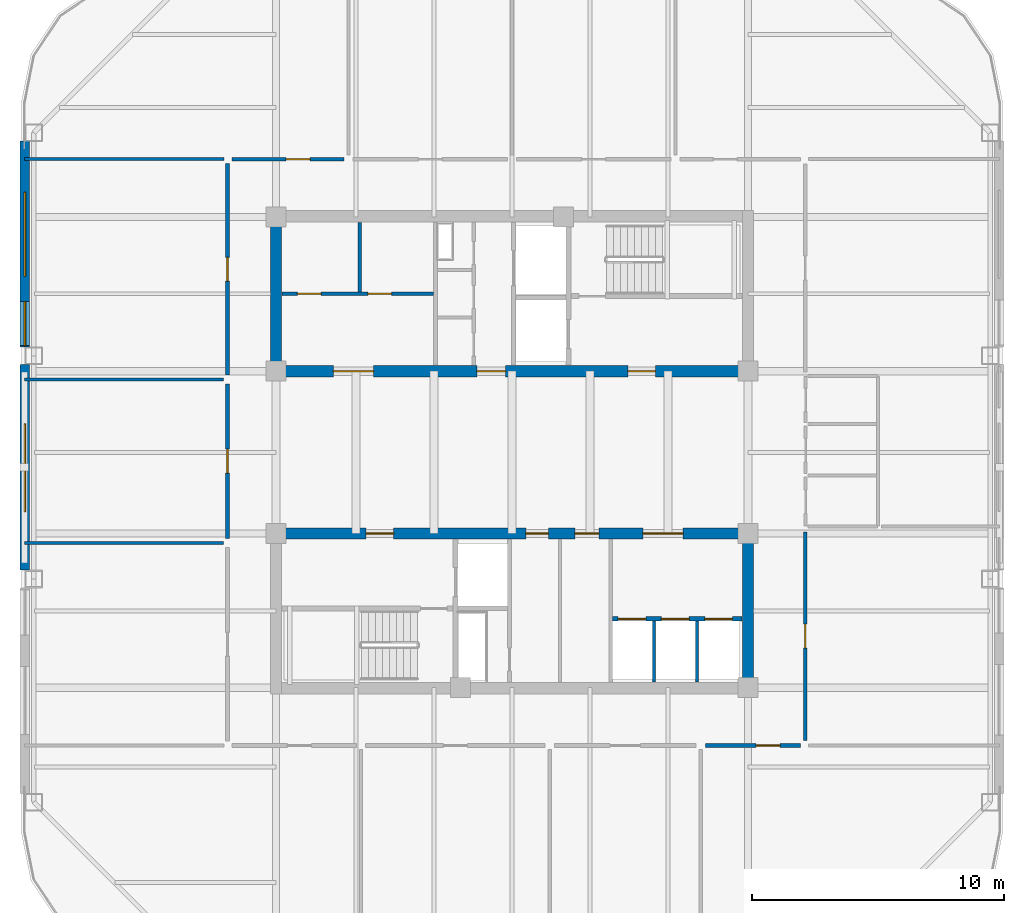
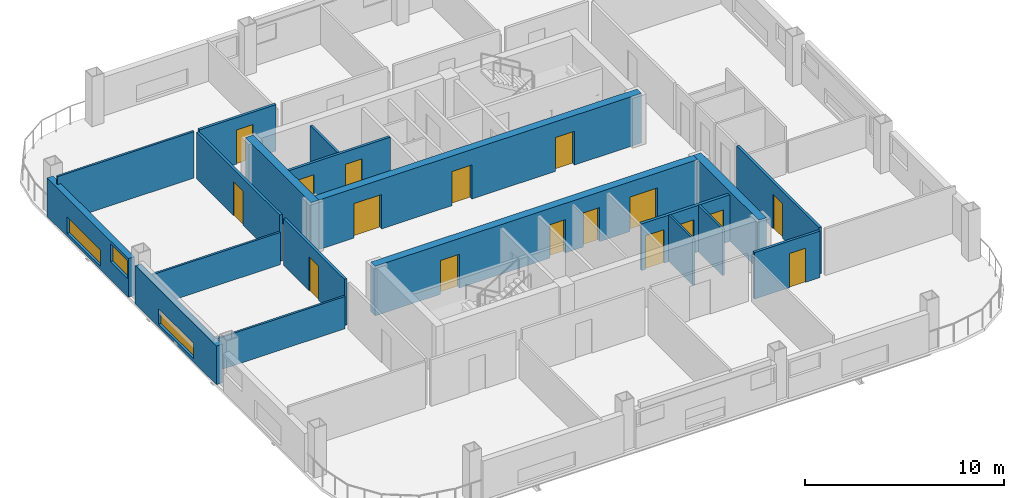
# One storey, part 3 of 8: 19 walls, 17 doors, 3 windows, 20 openings.
"""IFC4 building model written with IfcOpenShell, lengths in metres."""

import ifcopenshell
import ifcopenshell.guid

model = None  # the IFC model being written
_history = None  # IfcOwnerHistory: only IFC2X3 demands one
_inside = {}  # id of a spatial element -> (the spatial element, [elements in it])
_under = {}  # id of a project, library or spatial element -> (it, [spatial elements below it])
_declared = {}  # id of a project -> (the project, [libraries it declares])
_typed = {}  # id of a type object -> (the type object, [elements of that type])
_made_of = {}  # id of a material, layer set ... -> (it, [elements and type objects made of it])


def new_model(schema):
    """Start an empty IFC model of exactly this schema.

    Asked for "IFC4X3", IfcOpenShell would pick the latest addendum, in which some entities
    have other attributes; the version numbers below select the first issue.
    IFC2X3 requires an IfcOwnerHistory on every rooted entity: one is made here for all.
    """
    global model, _history
    if schema == "IFC4X3":
        model = ifcopenshell.file(schema_version=(4, 3, 0, 0))
    else:
        model = ifcopenshell.file(schema=schema)
    _inside.clear()
    _under.clear()
    _declared.clear()
    _typed.clear()
    _made_of.clear()
    _history = None
    if model.schema == "IFC2X3":
        org = make("IfcOrganization", Name="unknown")
        user = make(
            "IfcPersonAndOrganization",
            ThePerson=make("IfcPerson", FamilyName="unknown"),
            TheOrganization=org,
        )
        app = make(
            "IfcApplication",
            ApplicationDeveloper=org,
            Version="unknown",
            ApplicationFullName="unknown",
            ApplicationIdentifier="unknown",
        )
        _history = make(
            "IfcOwnerHistory",
            OwningUser=user,
            OwningApplication=app,
            ChangeAction="ADDED",
            CreationDate=0,
        )
    return model


def make(cls, **values):
    """One entity of the class cls with the attributes given. An attribute that is None is left unset."""
    return model.create_entity(
        cls, **{name: value for name, value in values.items() if value is not None}
    )


def rooted(cls, **values):
    """An entity with a GlobalId (a new one), such as an element, a storey or a relation."""
    return make(cls, GlobalId=ifcopenshell.guid.new(), OwnerHistory=_history, **values)


def si_unit(unit_type, name, prefix=None):
    """IfcSIUnit, for example si_unit("LENGTHUNIT", "METRE", prefix="MILLI")."""
    return make("IfcSIUnit", UnitType=unit_type, Prefix=prefix, Name=name)


def assignment(units):
    """IfcUnitAssignment: the units of a project."""
    return None if units is None else make("IfcUnitAssignment", Units=units)


def point(xyz):
    """IfcCartesianPoint."""
    return None if xyz is None else make("IfcCartesianPoint", Coordinates=xyz)


def direction(xyz):
    """IfcDirection."""
    return None if xyz is None else make("IfcDirection", DirectionRatios=xyz)


def frame(location, z_axis=None, x_axis=None):
    """IfcAxis2Placement3D, a coordinate frame: its origin and axes. An axis left out is left unset."""
    return make(
        "IfcAxis2Placement3D",
        Location=point(location),
        Axis=direction(z_axis),
        RefDirection=direction(x_axis),
    )


def frame_2d(location, x_axis=None):
    """IfcAxis2Placement2D, a coordinate frame in the plane: its origin and x axis."""
    return make(
        "IfcAxis2Placement2D", Location=point(location), RefDirection=direction(x_axis)
    )


def origin():
    """The frame at (0, 0, 0) with its axes left unset."""
    return frame((0.0, 0.0, 0.0))


def place(relative_to, where):
    """IfcLocalPlacement: puts the frame where relative to a parent placement (None: the world)."""
    return make(
        "IfcLocalPlacement", PlacementRelTo=relative_to, RelativePlacement=where
    )


def context(
    kind, dimensions, precision=None, world=None, true_north=None, identifier=None
):
    """IfcGeometricRepresentationContext, for example the 3D "Model" context."""
    return make(
        "IfcGeometricRepresentationContext",
        ContextIdentifier=identifier,
        ContextType=kind,
        CoordinateSpaceDimension=dimensions,
        Precision=precision,
        WorldCoordinateSystem=world,
        TrueNorth=true_north,
    )


def subcontext(parent, identifier, kind, view, scale=None):
    """IfcGeometricRepresentationSubContext, for example "Body" below "Model"."""
    return make(
        "IfcGeometricRepresentationSubContext",
        ContextIdentifier=identifier,
        ContextType=kind,
        ParentContext=parent,
        TargetScale=scale,
        TargetView=view,
    )


def project(units=None, contexts=None):
    """IfcProject with its units and contexts."""
    return rooted(
        "IfcProject",
        Name="project",
        RepresentationContexts=contexts,
        UnitsInContext=assignment(units),
    )


def spatial(cls, under=None, at=None, **own):
    """A site, building, storey or space (cls), placed at a placement, below another one or the project."""
    s = rooted(cls, ObjectPlacement=at, **own)
    if under is not None:
        _under.setdefault(under.id(), (under, []))[1].append(s)
    return s


def profile(cls, at=None, kind="AREA", **sizes):
    """A parametric profile (cls). Its sizes go by their IFC names, for example OverallWidth=200.0."""
    return make(cls, ProfileType=kind, Position=at, **sizes)


def rectangle(**sizes):
    """IfcRectangleProfileDef."""
    return profile("IfcRectangleProfileDef", **sizes)


def extrude(swept, where, along, depth):
    """IfcExtrudedAreaSolid: the profile swept, set in the frame where, extruded along a direction by depth."""
    return make(
        "IfcExtrudedAreaSolid",
        SweptArea=swept,
        Position=where,
        ExtrudedDirection=direction(along),
        Depth=depth,
    )


def shape(context_of_items, identifier, shape_type, items):
    """IfcShapeRepresentation: the items that make up one representation, for example the "Body"."""
    return make(
        "IfcShapeRepresentation",
        ContextOfItems=context_of_items,
        RepresentationIdentifier=identifier,
        RepresentationType=shape_type,
        Items=items,
    )


def material(Name=None, Category=None):
    """IfcMaterial."""
    return make("IfcMaterial", Name=Name, Category=Category)


def layer(
    of_material, thickness, ventilated=None, Name=None, Category=None, Priority=None
):
    """IfcMaterialLayer: one layer of a wall or slab, of a material (None: an air gap)."""
    return make(
        "IfcMaterialLayer",
        Material=of_material,
        LayerThickness=thickness,
        IsVentilated=ventilated,
        Name=Name,
        Category=Category,
        Priority=Priority,
    )


def layer_set(layers, Name=None):
    """IfcMaterialLayerSet."""
    return make("IfcMaterialLayerSet", MaterialLayers=layers, LayerSetName=Name)


def made_of(thing, what):
    """Note that an element or type object is made of a material, layer set ...; save() writes the relation."""
    if what is not None:
        _made_of.setdefault(what.id(), (what, []))[1].append(thing)
    return thing


def type_object(cls, material=None, **own):
    """A type object (cls), such as IfcWallType, which elements share."""
    return made_of(rooted(cls, **own), material)


def element(
    cls,
    number,
    at=None,
    inside=None,
    cuts=None,
    type_object=None,
    material=None,
    context=None,
    identifier="Body",
    shape_type=None,
    held_by="IfcProductDefinitionShape",
    body=None,
    shapes=None,
    **own,
):
    """One element of the class cls, such as IfcWall. Its Tag is "e" and its number.

    at: its placement. inside: the storey or other place that contains it. cuts: it is an
    opening in that element (IfcRelVoidsElement). A single representation is given by context,
    identifier, shape_type and body (its items); several are given by shapes. held_by: the class
    of the entity that holds the representations. save() writes the other relations.
    """
    e = rooted(cls, Tag="e%d" % number, ObjectPlacement=at, **own)
    if body is not None:
        shapes = [shape(context, identifier, shape_type, body)]
    if shapes is not None:
        e.Representation = make(held_by, Representations=shapes)
    if inside is not None:
        _inside.setdefault(inside.id(), (inside, []))[1].append(e)
    if cuts is not None:
        rooted(
            "IfcRelVoidsElement", RelatingBuildingElement=cuts, RelatedOpeningElement=e
        )
    if type_object is not None:
        _typed.setdefault(type_object.id(), (type_object, []))[1].append(e)
    return made_of(e, material)


def fill(opening, filler):
    """IfcRelFillsElement: the door or window that sits in an opening."""
    return rooted(
        "IfcRelFillsElement",
        RelatingOpeningElement=opening,
        RelatedBuildingElement=filler,
    )


def aggregate(whole, parts):
    """IfcRelAggregates: a whole, such as a stair, and the parts it consists of."""
    return rooted("IfcRelAggregates", RelatingObject=whole, RelatedObjects=parts)


def save(model, path):
    """Write the relations noted so far, then the file.

    IfcRelAggregates (storeys below a building ...), IfcRelContainedInSpatialStructure (elements
    in a storey), IfcRelDefinesByType, IfcRelAssociatesMaterial and IfcRelDeclares: one each for
    every whole, place, type object, material and project.
    """
    for whole, parts in _under.values():
        aggregate(whole, parts)
    for where, things in _inside.values():
        rooted(
            "IfcRelContainedInSpatialStructure",
            RelatedElements=things,
            RelatingStructure=where,
        )
    for kind, things in _typed.values():
        rooted("IfcRelDefinesByType", RelatedObjects=things, RelatingType=kind)
    for what, things in _made_of.values():
        rooted("IfcRelAssociatesMaterial", RelatedObjects=things, RelatingMaterial=what)
    for by, libraries in _declared.values():
        rooted("IfcRelDeclares", RelatingContext=by, RelatedDefinitions=libraries)
    model.write(path)


model = new_model("IFC4")

# Units and contexts
model_context = context("Model", 3, precision=1e-05, world=origin(), true_north=direction((0.0, 1.0)))
body_context = subcontext(model_context, "Body", "Model", "MODEL_VIEW")
ifc_project = project(units=[si_unit("LENGTHUNIT", "METRE"), si_unit("AREAUNIT", "SQUARE_METRE"), si_unit("VOLUMEUNIT", "CUBIC_METRE"), si_unit("PLANEANGLEUNIT", "RADIAN"), si_unit("MASSUNIT", "GRAM", prefix="KILO")], contexts=[model_context])

# Site, building, storey
site_placement = place(None, origin())
site = spatial("IfcSite", under=ifc_project, at=site_placement, CompositionType="ELEMENT")
building_placement = place(site_placement, origin())
building = spatial("IfcBuilding", under=site, at=building_placement, Name="Qhalaya Broadcast Tower", CompositionType="ELEMENT")
storey_placement = place(building_placement, frame((0.0, 0.0, 220.85009765625)))
storey = spatial("IfcBuildingStorey", under=building, at=storey_placement, Name="L65", CompositionType="ELEMENT", Elevation=220.85009765625)

# Wall, openings, doors
ifc_material_1 = material(Name="Gypsum Acoustic Partition")
ifc_layer_1 = layer(ifc_material_1, 0.14990234375, Name="Gypsum Acoustic Partition")
ifc_layer_set_1 = layer_set([ifc_layer_1], Name="Gypsum Acoustic Partition")
wall_type_1 = type_object("IfcWallType", Name="Corridor & Tenancy Acoustic Partition 150", PredefinedType="PARTITIONING", material=ifc_layer_set_1)
wall_1_placement = place(storey_placement, frame((-9.1298828125, 6.89990234375, 0.0), z_axis=(0.0, 0.0, 1.0), x_axis=(1.0, 0.0, 0.0)))
wall_1 = element("IfcWall", 1, at=wall_1_placement, inside=storey, type_object=wall_type_1, Name="L65 Partition Wall NCW-REC1", PredefinedType="PARTITIONING", context=body_context, shape_type="SweptSolid", body=[
    extrude(rectangle(XDim=6.009765625, YDim=0.14990234375, at=frame_2d((3.0048828125, 0.0))), origin(), (0.0, 0.0, 1.0), 2.85986328125),
])
opening_1_placement = place(wall_1_placement, frame((0.60009765625, 0.0, 0.0)))
opening_1 = element("IfcOpeningElement", 2, at=opening_1_placement, cuts=wall_1, Name="Opening D10", PredefinedType="OPENING", context=body_context, shape_type="SweptSolid", body=[
    extrude(rectangle(XDim=0.949951171875, YDim=2.10009765625, at=frame_2d((0.47509765625, 1.050048828125))), frame((0.0, 0.0869140625, 0.0), z_axis=(0.0, -1.0, 0.0), x_axis=(1.0, 0.0, 0.0)), (0.0, 0.0, 1.0), 0.173828125),
])
opening_2_placement = place(wall_1_placement, frame((3.39990234375, 0.0, 0.0)))
opening_2 = element("IfcOpeningElement", 3, at=opening_2_placement, cuts=wall_1, Name="Opening D10", PredefinedType="OPENING", context=body_context, shape_type="SweptSolid", body=[
    extrude(rectangle(XDim=0.949951171875, YDim=2.10009765625, at=frame_2d((0.47509765625, 1.050048828125))), frame((0.0, 0.0869140625, 0.0), z_axis=(0.0, -1.0, 0.0), x_axis=(1.0, 0.0, 0.0)), (0.0, 0.0, 1.0), 0.173828125),
])
ifc_material_2 = material(Name="Timber Veneer Acoustic Door", Category="wood")
door_type_1 = type_object("IfcDoorType", Name="Cellular Office & Edit Booth Door D10", OperationType="NOTDEFINED", PredefinedType="DOOR", material=ifc_material_2)
door_1_placement = place(opening_1_placement, origin())
door_1 = element("IfcDoor", 4, at=door_1_placement, inside=storey, type_object=door_type_1, Name="L65 Door D-NREC1", OperationType="SINGLE_SWING_LEFT", OverallHeight=2.10009765625, OverallWidth=0.949951171875, PredefinedType="DOOR", context=body_context, shape_type="SweptSolid", body=[
    extrude(rectangle(XDim=0.949951171875, YDim=2.10009765625, at=frame_2d((0.47509765625, 1.050048828125))), frame((0.0, 0.02490234375, 0.0), z_axis=(0.0, -1.0, 0.0), x_axis=(1.0, 0.0, 0.0)), (0.0, 0.0, 1.0), 0.050048828125),
])
fill(opening_1, door_1)
door_2_placement = place(opening_2_placement, origin())
door_2 = element("IfcDoor", 5, at=door_2_placement, inside=storey, type_object=door_type_1, Name="L65 Door D-NREC2", OperationType="SINGLE_SWING_RIGHT", OverallHeight=2.10009765625, OverallWidth=0.949951171875, PredefinedType="DOOR", context=body_context, shape_type="SweptSolid", body=[
    extrude(rectangle(XDim=0.949951171875, YDim=2.10009765625, at=frame_2d((0.47509765625, 1.050048828125))), frame((0.0, 0.02490234375, 0.0), z_axis=(0.0, -1.0, 0.0), x_axis=(1.0, 0.0, 0.0)), (0.0, 0.0, 1.0), 0.050048828125),
])
fill(opening_2, door_2)

# Wall, opening, door
wall_2_placement = place(storey_placement, frame((-11.1201171875, 12.25, 0.0), z_axis=(0.0, 0.0, 1.0), x_axis=(1.0, 0.0, 0.0)))
wall_2 = element("IfcWall", 6, at=wall_2_placement, inside=storey, type_object=wall_type_1, Name="L65 Partition Wall W-COR-01", PredefinedType="PARTITIONING", context=body_context, shape_type="SweptSolid", body=[
    extrude(rectangle(XDim=4.440185546875, YDim=0.14990234375, at=frame_2d((2.22021484375, 0.0))), origin(), (0.0, 0.0, 1.0), 2.85986328125),
])
opening_3_placement = place(wall_2_placement, frame((2.14501953125, 0.0, 0.0)))
opening_3 = element("IfcOpeningElement", 7, at=opening_3_placement, cuts=wall_2, Name="Opening D10", PredefinedType="OPENING", context=body_context, shape_type="SweptSolid", body=[
    extrude(rectangle(XDim=0.949951171875, YDim=2.10009765625, at=frame_2d((0.47509765625, 1.050048828125))), frame((0.0, 0.0869140625, 0.0), z_axis=(0.0, -1.0, 0.0), x_axis=(1.0, 0.0, 0.0)), (0.0, 0.0, 1.0), 0.173828125),
])
door_3_placement = place(opening_3_placement, origin())
door_3 = element("IfcDoor", 8, at=door_3_placement, inside=storey, type_object=door_type_1, Name="L65 Door D-RM01", OperationType="SINGLE_SWING_LEFT", OverallHeight=2.10009765625, OverallWidth=0.949951171875, PredefinedType="DOOR", context=body_context, shape_type="SweptSolid", body=[
    extrude(rectangle(XDim=0.949951171875, YDim=2.10009765625, at=frame_2d((0.47509765625, 1.050048828125))), frame((0.0, 0.02490234375, 0.0), z_axis=(0.0, -1.0, 0.0), x_axis=(1.0, 0.0, 0.0)), (0.0, 0.0, 1.0), 0.050048828125),
])
fill(opening_3, door_3)

wall_3_placement = place(storey_placement, frame((7.679931640625, -11.050048828125, 0.0), z_axis=(0.0, 0.0, 1.0), x_axis=(1.0, 0.0, 0.0)))
wall_3 = element("IfcWall", 9, at=wall_3_placement, inside=storey, type_object=wall_type_1, Name="L65 Partition Wall W-COR-08", PredefinedType="PARTITIONING", context=body_context, shape_type="SweptSolid", body=[
    extrude(rectangle(XDim=3.7900390625, YDim=0.14990234375, at=frame_2d((1.89501953125, 0.0))), origin(), (0.0, 0.0, 1.0), 2.85986328125),
])
opening_4_placement = place(wall_3_placement, frame((2.02001953125, 0.0, 0.0)))
opening_4 = element("IfcOpeningElement", 10, at=opening_4_placement, cuts=wall_3, Name="Opening D10", PredefinedType="OPENING", context=body_context, shape_type="SweptSolid", body=[
    extrude(rectangle(XDim=0.949951171875, YDim=2.10009765625, at=frame_2d((0.47509765625, 1.050048828125))), frame((0.0, 0.0869140625, 0.0), z_axis=(0.0, -1.0, 0.0), x_axis=(1.0, 0.0, 0.0)), (0.0, 0.0, 1.0), 0.173828125),
])
door_4_placement = place(opening_4_placement, origin())
door_4 = element("IfcDoor", 11, at=door_4_placement, inside=storey, type_object=door_type_1, Name="L65 Door D-RM08", OperationType="SINGLE_SWING_RIGHT", OverallHeight=2.10009765625, OverallWidth=0.949951171875, PredefinedType="DOOR", context=body_context, shape_type="SweptSolid", body=[
    extrude(rectangle(XDim=0.949951171875, YDim=2.10009765625, at=frame_2d((0.47509765625, 1.050048828125))), frame((0.0, 0.02490234375, 0.0), z_axis=(0.0, -1.0, 0.0), x_axis=(1.0, 0.0, 0.0)), (0.0, 0.0, 1.0), 0.050048828125),
])
fill(opening_4, door_4)

wall_4_placement = place(storey_placement, frame((-11.300048828125, -2.820068359375, 0.0), z_axis=(0.0, 0.0, 1.0), x_axis=(0.0, 1.0, 0.0)))
wall_4 = element("IfcWall", 12, at=wall_4_placement, inside=storey, type_object=wall_type_1, Name="L65 Partition Wall W-COR-10", PredefinedType="PARTITIONING", context=body_context, shape_type="SweptSolid", body=[
    extrude(rectangle(XDim=6.14013671875, YDim=0.14990234375, at=frame_2d((3.070068359375, 0.0))), origin(), (0.0, 0.0, 1.0), 2.85986328125),
])
opening_5_placement = place(wall_4_placement, frame((2.594970703125, 0.0, 0.0)))
opening_5 = element("IfcOpeningElement", 13, at=opening_5_placement, cuts=wall_4, Name="Opening D10", PredefinedType="OPENING", context=body_context, shape_type="SweptSolid", body=[
    extrude(rectangle(XDim=0.949951171875, YDim=2.10009765625, at=frame_2d((0.47509765625, 1.050048828125))), frame((0.0, 0.0869140625, 0.0), z_axis=(0.0, -1.0, 0.0), x_axis=(1.0, 0.0, 0.0)), (0.0, 0.0, 1.0), 0.173828125),
])
door_5_placement = place(opening_5_placement, origin())
door_5 = element("IfcDoor", 14, at=door_5_placement, inside=storey, type_object=door_type_1, Name="L65 Door D-RM10", OperationType="SINGLE_SWING_RIGHT", OverallHeight=2.10009765625, OverallWidth=0.949951171875, PredefinedType="DOOR", context=body_context, shape_type="SweptSolid", body=[
    extrude(rectangle(XDim=0.949951171875, YDim=2.10009765625, at=frame_2d((0.47509765625, 1.050048828125))), frame((0.0, 0.02490234375, 0.0), z_axis=(0.0, -1.0, 0.0), x_axis=(1.0, 0.0, 0.0)), (0.0, 0.0, 1.0), 0.050048828125),
])
fill(opening_5, door_5)

wall_5_placement = place(storey_placement, frame((-11.300048828125, 3.679931640625, 0.0), z_axis=(0.0, 0.0, 1.0), x_axis=(0.0, 1.0, 0.0)))
wall_5 = element("IfcWall", 15, at=wall_5_placement, inside=storey, type_object=wall_type_1, Name="L65 Partition Wall W-COR-11", PredefinedType="PARTITIONING", context=body_context, shape_type="SweptSolid", body=[
    extrude(rectangle(XDim=8.39013671875, YDim=0.14990234375, at=frame_2d((4.195068359375, 0.0))), origin(), (0.0, 0.0, 1.0), 2.85986328125),
])
opening_6_placement = place(wall_5_placement, frame((3.719970703125, 0.0, 0.0)))
opening_6 = element("IfcOpeningElement", 16, at=opening_6_placement, cuts=wall_5, Name="Opening D10", PredefinedType="OPENING", context=body_context, shape_type="SweptSolid", body=[
    extrude(rectangle(XDim=0.949951171875, YDim=2.10009765625, at=frame_2d((0.47509765625, 1.050048828125))), frame((0.0, 0.0869140625, 0.0), z_axis=(0.0, -1.0, 0.0), x_axis=(1.0, 0.0, 0.0)), (0.0, 0.0, 1.0), 0.173828125),
])
door_6_placement = place(opening_6_placement, origin())
door_6 = element("IfcDoor", 17, at=door_6_placement, inside=storey, type_object=door_type_1, Name="L65 Door D-RM11", OperationType="SINGLE_SWING_LEFT", OverallHeight=2.10009765625, OverallWidth=0.949951171875, PredefinedType="DOOR", context=body_context, shape_type="SweptSolid", body=[
    extrude(rectangle(XDim=0.949951171875, YDim=2.10009765625, at=frame_2d((0.47509765625, 1.050048828125))), frame((0.0, 0.02490234375, 0.0), z_axis=(0.0, -1.0, 0.0), x_axis=(1.0, 0.0, 0.0)), (0.0, 0.0, 1.0), 0.050048828125),
])
fill(opening_6, door_6)

wall_6_placement = place(storey_placement, frame((11.64990234375, -10.85009765625, 0.0), z_axis=(0.0, 0.0, 1.0), x_axis=(0.0, 1.0, 0.0)))
wall_6 = element("IfcWall", 18, at=wall_6_placement, inside=storey, type_object=wall_type_1, Name="L65 Partition Wall W-COR-12", PredefinedType="PARTITIONING", context=body_context, shape_type="SweptSolid", body=[
    extrude(rectangle(XDim=8.2900390625, YDim=0.14990234375, at=frame_2d((4.14501953125, 0.0))), origin(), (0.0, 0.0, 1.0), 2.85986328125),
])
opening_7_placement = place(wall_6_placement, frame((3.669921875, 0.0, 0.0)))
opening_7 = element("IfcOpeningElement", 19, at=opening_7_placement, cuts=wall_6, Name="Opening D10", PredefinedType="OPENING", context=body_context, shape_type="SweptSolid", body=[
    extrude(rectangle(XDim=0.949951171875, YDim=2.10009765625, at=frame_2d((0.47509765625, 1.050048828125))), frame((0.0, 0.0869140625, 0.0), z_axis=(0.0, -1.0, 0.0), x_axis=(1.0, 0.0, 0.0)), (0.0, 0.0, 1.0), 0.173828125),
])
door_7_placement = place(opening_7_placement, origin())
door_7 = element("IfcDoor", 20, at=door_7_placement, inside=storey, type_object=door_type_1, Name="L65 Door D-RM12", OperationType="SINGLE_SWING_RIGHT", OverallHeight=2.10009765625, OverallWidth=0.949951171875, PredefinedType="DOOR", context=body_context, shape_type="SweptSolid", body=[
    extrude(rectangle(XDim=0.949951171875, YDim=2.10009765625, at=frame_2d((0.47509765625, 1.050048828125))), frame((0.0, 0.02490234375, 0.0), z_axis=(0.0, -1.0, 0.0), x_axis=(1.0, 0.0, 0.0)), (0.0, 0.0, 1.0), 0.050048828125),
])
fill(opening_7, door_7)

# Wall, opening, window
ifc_material_3 = material(Name="Precast Concrete C40/50", Category="concrete")
ifc_layer_2 = layer(ifc_material_3, 0.360107421875, Name="Precast Concrete C40/50")
ifc_layer_set_2 = layer_set([ifc_layer_2], Name="Precast Concrete C40/50")
wall_type_2 = type_object("IfcWallType", Name="Insulated Precast Terracotta Exterior Wall 360", PredefinedType="SOLIDWALL", material=ifc_layer_set_2)
wall_7_placement = place(storey_placement, frame((-19.360107421875, -4.083251953125, 0.0), z_axis=(0.0, 0.0, 1.0), x_axis=(0.0, 1.0, 0.0)))
wall_7 = element("IfcWall", 21, at=wall_7_placement, inside=storey, type_object=wall_type_2, Name="L65 Exoskeleton Diagrid Infill Wall W2", PredefinedType="SOLIDWALL", context=body_context, shape_type="SweptSolid", body=[
    extrude(rectangle(XDim=8.16650390625, YDim=0.360107421875, at=frame_2d((4.083251953125, 0.0))), origin(), (0.0, 0.0, 1.0), 2.3740234375),
])
opening_8_placement = place(wall_7_placement, frame((2.321044921875, 0.0, 0.199951171875)))
opening_8 = element("IfcOpeningElement", 22, at=opening_8_placement, cuts=wall_7, Name="Opening W13", PredefinedType="OPENING", context=body_context, shape_type="SweptSolid", body=[
    extrude(rectangle(XDim=3.5, YDim=0.949951171875, at=frame_2d((1.75, 0.47509765625))), frame((0.0, 0.192138671875, 0.0), z_axis=(0.0, -1.0, 0.0), x_axis=(1.0, 0.0, 0.0)), (0.0, 0.0, 1.0), 0.384033203125),
])
ifc_material_4 = material(Name="Solar-Control Low-E Triple Glazing", Category="glass")
window_type = type_object("IfcWindowType", Name="Upper-Block Diagrid Infill Window W13", PartitioningType="SINGLE_PANEL", PredefinedType="WINDOW", material=ifc_material_4)
window_1_placement = place(opening_8_placement, origin())
window_1 = element("IfcWindow", 23, at=window_1_placement, inside=storey, type_object=window_type, Name="L65 Diagrid Infill Window W13-W3", OverallHeight=0.949951171875, OverallWidth=3.5, PartitioningType="SINGLE_PANEL", PredefinedType="WINDOW", context=body_context, shape_type="SweptSolid", body=[
    extrude(rectangle(XDim=3.5, YDim=0.949951171875, at=frame_2d((1.75, 0.47509765625))), frame((0.0, 0.030029296875, 0.0), z_axis=(0.0, -1.0, 0.0), x_axis=(1.0, 0.0, 0.0)), (0.0, 0.0, 1.0), 0.06005859375),
])
fill(opening_8, window_1)

# Wall, openings, windows
wall_8_placement = place(storey_placement, frame((-19.360107421875, 4.783203125, 0.0), z_axis=(0.0, 0.0, 1.0), x_axis=(0.0, 1.0, 0.0)))
wall_8 = element("IfcWall", 24, at=wall_8_placement, inside=storey, type_object=wall_type_2, Name="L65 Exoskeleton Diagrid Infill Wall W3", PredefinedType="SOLIDWALL", context=body_context, shape_type="SweptSolid", body=[
    extrude(rectangle(XDim=8.1787109375, YDim=0.360107421875, at=frame_2d((4.08935546875, 0.0))), origin(), (0.0, 0.0, 1.0), 2.3740234375),
])
opening_9_placement = place(wall_8_placement, frame((0.054931640625, 0.0, 1.10009765625)))
opening_9 = element("IfcOpeningElement", 25, at=opening_9_placement, cuts=wall_8, Name="Opening W13", PredefinedType="OPENING", context=body_context, shape_type="SweptSolid", body=[
    extrude(rectangle(XDim=1.75, YDim=1.10009765625, at=frame_2d((0.875, 0.550048828125))), frame((0.0, 0.192138671875, 0.0), z_axis=(0.0, -1.0, 0.0), x_axis=(1.0, 0.0, 0.0)), (0.0, 0.0, 1.0), 0.384033203125),
])
opening_10_placement = place(wall_8_placement, frame((2.804931640625, 0.0, 0.199951171875)))
opening_10 = element("IfcOpeningElement", 26, at=opening_10_placement, cuts=wall_8, Name="Opening W13", PredefinedType="OPENING", context=body_context, shape_type="SweptSolid", body=[
    extrude(rectangle(XDim=3.35009765625, YDim=1.0, at=frame_2d((1.675048828125, 0.5))), frame((0.0, 0.192138671875, 0.0), z_axis=(0.0, -1.0, 0.0), x_axis=(1.0, 0.0, 0.0)), (0.0, 0.0, 1.0), 0.384033203125),
])
window_2_placement = place(opening_9_placement, origin())
window_2 = element("IfcWindow", 27, at=window_2_placement, inside=storey, type_object=window_type, Name="L65 Diagrid Infill Window W13-W4", OverallHeight=1.10009765625, OverallWidth=1.75, PartitioningType="SINGLE_PANEL", PredefinedType="WINDOW", context=body_context, shape_type="SweptSolid", body=[
    extrude(rectangle(XDim=1.75, YDim=1.10009765625, at=frame_2d((0.875, 0.550048828125))), frame((0.0, 0.030029296875, 0.0), z_axis=(0.0, -1.0, 0.0), x_axis=(1.0, 0.0, 0.0)), (0.0, 0.0, 1.0), 0.06005859375),
])
fill(opening_9, window_2)
window_3_placement = place(opening_10_placement, origin())
window_3 = element("IfcWindow", 28, at=window_3_placement, inside=storey, type_object=window_type, Name="L65 Diagrid Infill Window W13-W5", OverallHeight=1.0, OverallWidth=3.35009765625, PartitioningType="SINGLE_PANEL", PredefinedType="WINDOW", context=body_context, shape_type="SweptSolid", body=[
    extrude(rectangle(XDim=3.35009765625, YDim=1.0, at=frame_2d((1.675048828125, 0.5))), frame((0.0, 0.030029296875, 0.0), z_axis=(0.0, -1.0, 0.0), x_axis=(1.0, 0.0, 0.0)), (0.0, 0.0, 1.0), 0.06005859375),
])
fill(opening_10, window_3)

# Walls
ifc_layer_3 = layer(ifc_material_1, 0.1201171875, Name="Gypsum Acoustic Partition")
ifc_layer_set_3 = layer_set([ifc_layer_3], Name="Gypsum Acoustic Partition")
wall_type_3 = type_object("IfcWallType", Name="Office, Booth & Sanitary Partition 120", PredefinedType="PARTITIONING", material=ifc_layer_set_3)
wall_9_placement = place(storey_placement, frame((-6.050048828125, 6.97998046875, 0.0), z_axis=(0.0, 0.0, 1.0), x_axis=(0.0, 1.0, 0.0)))
element("IfcWall", 29, at=wall_9_placement, inside=storey, type_object=wall_type_3, Name="L65 Partition Wall NCW-REC2", PredefinedType="PARTITIONING", context=body_context, shape_type="SweptSolid", body=[
    extrude(rectangle(XDim=2.75, YDim=0.1201171875, at=frame_2d((1.375, 0.0))), origin(), (0.0, 0.0, 1.0), 2.85986328125),
])
for number, where, z_axis, x_axis, name in (
    (30, (5.639892578125, -8.530029296875, 0.0), (0.0, 0.0, 1.0), (0.0, 1.0, 0.0), "L65 Partition Wall SCW-HD6"),
    (31, (7.360107421875, -8.530029296875, 0.0), (0.0, 0.0, 1.0), (0.0, 1.0, 0.0), "L65 Partition Wall SCW-HD7"),
):
    element("IfcWall", number, at=place(storey_placement, frame(where, z_axis=z_axis, x_axis=x_axis)), inside=storey, type_object=wall_type_3, Name=name, PredefinedType="PARTITIONING", context=body_context, shape_type="SweptSolid", body=[
        extrude(rectangle(XDim=2.429931640625, YDim=0.1201171875, at=frame_2d((1.21484375, 0.0))), origin(), (0.0, 0.0, 1.0), 2.85986328125),
    ])
wall_10_placement = place(storey_placement, frame((-19.3798828125, 12.25, 0.0), z_axis=(0.0, 0.0, 1.0), x_axis=(1.0, 0.0, 0.0)))
element("IfcWall", 32, at=wall_10_placement, inside=storey, type_object=wall_type_3, Name="L65 Partition Wall W-BNDW1", PredefinedType="PARTITIONING", context=body_context, shape_type="SweptSolid", body=[
    extrude(rectangle(XDim=7.93994140625, YDim=0.1201171875, at=frame_2d((3.969970703125, 0.0))), origin(), (0.0, 0.0, 1.0), 2.85986328125),
])
for number, where, z_axis, x_axis, name in (
    (33, (-19.3798828125, -3.0, 0.0), (0.0, 0.0, 1.0), (1.0, 0.0, 0.0), "L65 Partition Wall W-DIVW1"),
    (34, (-19.3798828125, 3.5, 0.0), (0.0, 0.0, 1.0), (1.0, 0.0, 0.0), "L65 Partition Wall W-DIVW2"),
):
    element("IfcWall", number, at=place(storey_placement, frame(where, z_axis=z_axis, x_axis=x_axis)), inside=storey, type_object=wall_type_3, Name=name, PredefinedType="PARTITIONING", context=body_context, shape_type="SweptSolid", body=[
        extrude(rectangle(XDim=7.919921875, YDim=0.1201171875, at=frame_2d((3.9599609375, 0.0))), origin(), (0.0, 0.0, 1.0), 1.98095703125),
    ])

# Wall, openings, doors
ifc_layer_4 = layer(ifc_material_1, 0.175048828125, Name="Gypsum Acoustic Partition")
ifc_layer_set_4 = layer_set([ifc_layer_4], Name="Gypsum Acoustic Partition")
wall_type_4 = type_object("IfcWallType", Name="Shaft & Riser Fire Partition 175", PredefinedType="PARTITIONING", material=ifc_layer_set_4)
wall_11_placement = place(storey_placement, frame((4.0, -6.02001953125, 0.0), z_axis=(0.0, 0.0, 1.0), x_axis=(1.0, 0.0, 0.0)))
wall_11 = element("IfcWall", 35, at=wall_11_placement, inside=storey, type_object=wall_type_4, Name="L65 Partition Wall SCW-SLB", PredefinedType="PARTITIONING", context=body_context, shape_type="SweptSolid", body=[
    extrude(rectangle(XDim=5.1298828125, YDim=0.175048828125, at=frame_2d((2.56494140625, 0.0))), origin(), (0.0, 0.0, 1.0), 2.85986328125),
])
opening_11_placement = place(wall_11_placement, frame((0.219970703125, 0.0, 0.0)))
opening_11 = element("IfcOpeningElement", 36, at=opening_11_placement, cuts=wall_11, Name="Opening LD1", PredefinedType="OPENING", context=body_context, shape_type="SweptSolid", body=[
    extrude(rectangle(XDim=1.10009765625, YDim=2.06005859375, at=frame_2d((0.550048828125, 1.030029296875))), frame((0.0, 0.099609375, 0.0), z_axis=(0.0, -1.0, 0.0), x_axis=(1.0, 0.0, 0.0)), (0.0, 0.0, 1.0), 0.198974609375),
])
opening_12_placement = place(wall_11_placement, frame((1.93994140625, 0.0, 0.0)))
opening_12 = element("IfcOpeningElement", 37, at=opening_12_placement, cuts=wall_11, Name="Opening LD1", PredefinedType="OPENING", context=body_context, shape_type="SweptSolid", body=[
    extrude(rectangle(XDim=1.10009765625, YDim=2.06005859375, at=frame_2d((0.550048828125, 1.030029296875))), frame((0.0, 0.099609375, 0.0), z_axis=(0.0, -1.0, 0.0), x_axis=(1.0, 0.0, 0.0)), (0.0, 0.0, 1.0), 0.198974609375),
])
opening_13_placement = place(wall_11_placement, frame((3.659912109375, 0.0, 0.0)))
opening_13 = element("IfcOpeningElement", 38, at=opening_13_placement, cuts=wall_11, Name="Opening LD1", PredefinedType="OPENING", context=body_context, shape_type="SweptSolid", body=[
    extrude(rectangle(XDim=1.10009765625, YDim=2.06005859375, at=frame_2d((0.550048828125, 1.030029296875))), frame((0.0, 0.099609375, 0.0), z_axis=(0.0, -1.0, 0.0), x_axis=(1.0, 0.0, 0.0)), (0.0, 0.0, 1.0), 0.198974609375),
])
ifc_material_5 = material(Name="Brushed Stainless Steel Lift Door", Category="steel")
door_type_2 = type_object("IfcDoorType", Name="Passenger Lift Sliding Landing Door LD1", OperationType="DOUBLE_DOOR_SLIDING", PredefinedType="DOOR", material=ifc_material_5)
door_8_placement = place(opening_11_placement, origin())
door_8 = element("IfcDoor", 39, at=door_8_placement, inside=storey, type_object=door_type_2, Name="L65 Door LD-P6", OperationType="DOUBLE_DOOR_SLIDING", OverallHeight=2.06005859375, OverallWidth=1.10009765625, PredefinedType="DOOR", context=body_context, shape_type="SweptSolid", body=[
    extrude(rectangle(XDim=1.10009765625, YDim=2.06005859375, at=frame_2d((0.550048828125, 1.030029296875))), frame((0.0, 0.02490234375, 0.0), z_axis=(0.0, -1.0, 0.0), x_axis=(1.0, 0.0, 0.0)), (0.0, 0.0, 1.0), 0.050048828125),
])
fill(opening_11, door_8)
door_9_placement = place(opening_12_placement, origin())
door_9 = element("IfcDoor", 40, at=door_9_placement, inside=storey, type_object=door_type_2, Name="L65 Door LD-P7", OperationType="DOUBLE_DOOR_SLIDING", OverallHeight=2.06005859375, OverallWidth=1.10009765625, PredefinedType="DOOR", context=body_context, shape_type="SweptSolid", body=[
    extrude(rectangle(XDim=1.10009765625, YDim=2.06005859375, at=frame_2d((0.550048828125, 1.030029296875))), frame((0.0, 0.02490234375, 0.0), z_axis=(0.0, -1.0, 0.0), x_axis=(1.0, 0.0, 0.0)), (0.0, 0.0, 1.0), 0.050048828125),
])
fill(opening_12, door_9)
door_10_placement = place(opening_13_placement, origin())
door_10 = element("IfcDoor", 41, at=door_10_placement, inside=storey, type_object=door_type_2, Name="L65 Door LD-P8", OperationType="DOUBLE_DOOR_SLIDING", OverallHeight=2.06005859375, OverallWidth=1.10009765625, PredefinedType="DOOR", context=body_context, shape_type="SweptSolid", body=[
    extrude(rectangle(XDim=1.10009765625, YDim=2.06005859375, at=frame_2d((0.550048828125, 1.030029296875))), frame((0.0, 0.02490234375, 0.0), z_axis=(0.0, -1.0, 0.0), x_axis=(1.0, 0.0, 0.0)), (0.0, 0.0, 1.0), 0.050048828125),
])
fill(opening_13, door_10)

ifc_material_6 = material(Name="Concrete C50/60", Category="concrete")
ifc_layer_5 = layer(ifc_material_6, 0.449951171875, Name="Concrete C50/60")
ifc_layer_set_5 = layer_set([ifc_layer_5], Name="Concrete C50/60")
wall_type_5 = type_object("IfcWallType", Name="Upper Split-Core Shear Wall 450", PredefinedType="SHEAR", material=ifc_layer_set_5)
wall_12_placement = place(storey_placement, frame((-9.60009765625, 3.824951171875, 0.0), z_axis=(0.0, 0.0, 1.0), x_axis=(1.0, 0.0, 0.0)))
wall_12 = element("IfcWall", 42, at=wall_12_placement, inside=storey, type_object=wall_type_5, Name="L65 Split-Core Shear Wall CW-NS", PredefinedType="SHEAR", context=body_context, shape_type="SweptSolid", body=[
    extrude(rectangle(XDim=19.2001953125, YDim=0.449951171875, at=frame_2d((9.60009765625, 0.0))), origin(), (0.0, 0.0, 1.0), 3.0498046875),
])
opening_14_placement = place(wall_12_placement, frame((14.199951171875, 0.0, 0.0)))
opening_14 = element("IfcOpeningElement", 43, at=opening_14_placement, cuts=wall_12, Name="Opening D04", PredefinedType="OPENING", context=body_context, shape_type="SweptSolid", body=[
    extrude(rectangle(XDim=1.10009765625, YDim=2.080078125, at=frame_2d((0.550048828125, 1.0400390625))), frame((0.0, 0.237060546875, 0.0), z_axis=(0.0, -1.0, 0.0), x_axis=(1.0, 0.0, 0.0)), (0.0, 0.0, 1.0), 0.473876953125),
])
opening_15_placement = place(wall_12_placement, frame((8.199951171875, 0.0, 0.0)))
opening_15 = element("IfcOpeningElement", 44, at=opening_15_placement, cuts=wall_12, Name="Opening D05", PredefinedType="OPENING", context=body_context, shape_type="SweptSolid", body=[
    extrude(rectangle(XDim=1.14990234375, YDim=2.10009765625, at=frame_2d((0.574951171875, 1.050048828125))), frame((0.0, 0.237060546875, 0.0), z_axis=(0.0, -1.0, 0.0), x_axis=(1.0, 0.0, 0.0)), (0.0, 0.0, 1.0), 0.473876953125),
])
opening_16_placement = place(wall_12_placement, frame((2.5, 0.0, 0.0)))
opening_16 = element("IfcOpeningElement", 45, at=opening_16_placement, cuts=wall_12, Name="Opening D07", PredefinedType="OPENING", context=body_context, shape_type="SweptSolid", body=[
    extrude(rectangle(XDim=1.60009765625, YDim=2.1201171875, at=frame_2d((0.800048828125, 1.06005859375))), frame((0.0, 0.237060546875, 0.0), z_axis=(0.0, -1.0, 0.0), x_axis=(1.0, 0.0, 0.0)), (0.0, 0.0, 1.0), 0.473876953125),
])
ifc_material_7 = material(Name="Fire-Rated Steel Door", Category="steel")
door_type_3 = type_object("IfcDoorType", Name="Firefighting Lobby Rated Door D04", OperationType="NOTDEFINED", PredefinedType="DOOR", material=ifc_material_7)
door_11_placement = place(opening_14_placement, origin())
door_11 = element("IfcDoor", 46, at=door_11_placement, inside=storey, type_object=door_type_3, Name="L65 Door D-NFF", OperationType="SINGLE_SWING_RIGHT", OverallHeight=2.080078125, OverallWidth=1.10009765625, PredefinedType="DOOR", context=body_context, shape_type="SweptSolid", body=[
    extrude(rectangle(XDim=1.10009765625, YDim=2.080078125, at=frame_2d((0.550048828125, 1.0400390625))), frame((0.0, 0.02490234375, 0.0), z_axis=(0.0, -1.0, 0.0), x_axis=(1.0, 0.0, 0.0)), (0.0, 0.0, 1.0), 0.050048828125),
])
fill(opening_14, door_11)
ifc_material_8 = material(Name="Anodised Aluminium Glazed Door", Category="aluminium")
door_type_4 = type_object("IfcDoorType", Name="Passenger Lift Lobby Double Glazed Door D07", OperationType="DOUBLE_DOOR_SINGLE_SWING", PredefinedType="DOOR", material=ifc_material_8)
door_12_placement = place(opening_16_placement, origin())
door_12 = element("IfcDoor", 47, at=door_12_placement, inside=storey, type_object=door_type_4, Name="L65 Door D-NRECV", OperationType="DOUBLE_DOOR_SINGLE_SWING", OverallHeight=2.1201171875, OverallWidth=1.60009765625, PredefinedType="DOOR", context=body_context, shape_type="SweptSolid", body=[
    extrude(rectangle(XDim=1.60009765625, YDim=2.1201171875, at=frame_2d((0.800048828125, 1.06005859375))), frame((0.0, 0.02490234375, 0.0), z_axis=(0.0, -1.0, 0.0), x_axis=(1.0, 0.0, 0.0)), (0.0, 0.0, 1.0), 0.050048828125),
])
fill(opening_16, door_12)
door_type_5 = type_object("IfcDoorType", Name="Refuge & Plant Room Fire Door D05", OperationType="NOTDEFINED", PredefinedType="DOOR", material=ifc_material_7)
door_13_placement = place(opening_15_placement, origin())
door_13 = element("IfcDoor", 48, at=door_13_placement, inside=storey, type_object=door_type_5, Name="L65 Door D-NSVL", OperationType="SINGLE_SWING_LEFT", OverallHeight=2.10009765625, OverallWidth=1.14990234375, PredefinedType="DOOR", context=body_context, shape_type="SweptSolid", body=[
    extrude(rectangle(XDim=1.14990234375, YDim=2.10009765625, at=frame_2d((0.574951171875, 1.050048828125))), frame((0.0, 0.02490234375, 0.0), z_axis=(0.0, -1.0, 0.0), x_axis=(1.0, 0.0, 0.0)), (0.0, 0.0, 1.0), 0.050048828125),
])
fill(opening_15, door_13)

# Wall
wall_13_placement = place(storey_placement, frame((-9.375, 3.60009765625, 0.0), z_axis=(0.0, 0.0, 1.0), x_axis=(0.0, 1.0, 0.0)))
element("IfcWall", 49, at=wall_13_placement, inside=storey, type_object=wall_type_5, Name="L65 Split-Core Shear Wall CW-NW", PredefinedType="SHEAR", context=body_context, shape_type="SweptSolid", body=[
    extrude(rectangle(XDim=6.599853515625, YDim=0.449951171875, at=frame_2d((3.2998046875, 0.0))), origin(), (0.0, 0.0, 1.0), 3.0498046875),
])

# Wall, openings, doors
wall_14_placement = place(storey_placement, frame((-9.60009765625, -2.625, 0.0), z_axis=(0.0, 0.0, 1.0), x_axis=(1.0, 0.0, 0.0)))
wall_14 = element("IfcWall", 50, at=wall_14_placement, inside=storey, type_object=wall_type_5, Name="L65 Split-Core Shear Wall CW-SN", PredefinedType="SHEAR", context=body_context, shape_type="SweptSolid", body=[
    extrude(rectangle(XDim=19.2001953125, YDim=0.449951171875, at=frame_2d((9.60009765625, 0.0))), origin(), (0.0, 0.0, 1.0), 3.0498046875),
])
opening_17_placement = place(wall_14_placement, frame((3.800048828125, 0.0, 0.0)))
opening_17 = element("IfcOpeningElement", 51, at=opening_17_placement, cuts=wall_14, Name="Opening D04", PredefinedType="OPENING", context=body_context, shape_type="SweptSolid", body=[
    extrude(rectangle(XDim=1.10009765625, YDim=2.080078125, at=frame_2d((0.550048828125, 1.0400390625))), frame((0.0, 0.237060546875, 0.0), z_axis=(0.0, -1.0, 0.0), x_axis=(1.0, 0.0, 0.0)), (0.0, 0.0, 1.0), 0.473876953125),
])
opening_18_placement = place(wall_14_placement, frame((10.14990234375, 0.0, 0.0)))
opening_18 = element("IfcOpeningElement", 52, at=opening_18_placement, cuts=wall_14, Name="Opening D06", PredefinedType="OPENING", context=body_context, shape_type="SweptSolid", body=[
    extrude(rectangle(XDim=0.89990234375, YDim=2.050048828125, at=frame_2d((0.449951171875, 1.02490234375))), frame((0.0, 0.237060546875, 0.0), z_axis=(0.0, -1.0, 0.0), x_axis=(1.0, 0.0, 0.0)), (0.0, 0.0, 1.0), 0.473876953125),
])
opening_19_placement = place(wall_14_placement, frame((12.10009765625, 0.0, 0.0)))
opening_19 = element("IfcOpeningElement", 53, at=opening_19_placement, cuts=wall_14, Name="Opening D10", PredefinedType="OPENING", context=body_context, shape_type="SweptSolid", body=[
    extrude(rectangle(XDim=0.949951171875, YDim=2.10009765625, at=frame_2d((0.47509765625, 1.050048828125))), frame((0.0, 0.237060546875, 0.0), z_axis=(0.0, -1.0, 0.0), x_axis=(1.0, 0.0, 0.0)), (0.0, 0.0, 1.0), 0.473876953125),
])
opening_20_placement = place(wall_14_placement, frame((14.800048828125, 0.0, 0.0)))
opening_20 = element("IfcOpeningElement", 54, at=opening_20_placement, cuts=wall_14, Name="Opening D07", PredefinedType="OPENING", context=body_context, shape_type="SweptSolid", body=[
    extrude(rectangle(XDim=1.60009765625, YDim=2.1201171875, at=frame_2d((0.800048828125, 1.06005859375))), frame((0.0, 0.237060546875, 0.0), z_axis=(0.0, -1.0, 0.0), x_axis=(1.0, 0.0, 0.0)), (0.0, 0.0, 1.0), 0.473876953125),
])
door_14_placement = place(opening_19_placement, origin())
door_14 = element("IfcDoor", 55, at=door_14_placement, inside=storey, type_object=door_type_1, Name="L65 Door D-SREC2", OperationType="SINGLE_SWING_RIGHT", OverallHeight=2.10009765625, OverallWidth=0.949951171875, PredefinedType="DOOR", context=body_context, shape_type="SweptSolid", body=[
    extrude(rectangle(XDim=0.949951171875, YDim=2.10009765625, at=frame_2d((0.47509765625, 1.050048828125))), frame((0.0, 0.02490234375, 0.0), z_axis=(0.0, -1.0, 0.0), x_axis=(1.0, 0.0, 0.0)), (0.0, 0.0, 1.0), 0.050048828125),
])
fill(opening_19, door_14)
door_15_placement = place(opening_17_placement, origin())
door_15 = element("IfcDoor", 56, at=door_15_placement, inside=storey, type_object=door_type_3, Name="L65 Door D-SFF", OperationType="SINGLE_SWING_LEFT", OverallHeight=2.080078125, OverallWidth=1.10009765625, PredefinedType="DOOR", context=body_context, shape_type="SweptSolid", body=[
    extrude(rectangle(XDim=1.10009765625, YDim=2.080078125, at=frame_2d((0.550048828125, 1.0400390625))), frame((0.0, 0.02490234375, 0.0), z_axis=(0.0, -1.0, 0.0), x_axis=(1.0, 0.0, 0.0)), (0.0, 0.0, 1.0), 0.050048828125),
])
fill(opening_17, door_15)
door_16_placement = place(opening_20_placement, origin())
door_16 = element("IfcDoor", 57, at=door_16_placement, inside=storey, type_object=door_type_4, Name="L65 Door D-SPLL", OperationType="DOUBLE_DOOR_SINGLE_SWING", OverallHeight=2.1201171875, OverallWidth=1.60009765625, PredefinedType="DOOR", context=body_context, shape_type="SweptSolid", body=[
    extrude(rectangle(XDim=1.60009765625, YDim=2.1201171875, at=frame_2d((0.800048828125, 1.06005859375))), frame((0.0, 0.02490234375, 0.0), z_axis=(0.0, -1.0, 0.0), x_axis=(1.0, 0.0, 0.0)), (0.0, 0.0, 1.0), 0.050048828125),
])
fill(opening_20, door_16)
door_type_6 = type_object("IfcDoorType", Name="Riser & Electrical Shaft Access Door D06", OperationType="NOTDEFINED", PredefinedType="DOOR", material=ifc_material_7)
door_17_placement = place(opening_18_placement, origin())
door_17 = element("IfcDoor", 58, at=door_17_placement, inside=storey, type_object=door_type_6, Name="L65 Door D-SREC1", OperationType="SINGLE_SWING_LEFT", OverallHeight=2.050048828125, OverallWidth=0.89990234375, PredefinedType="DOOR", context=body_context, shape_type="SweptSolid", body=[
    extrude(rectangle(XDim=0.89990234375, YDim=2.050048828125, at=frame_2d((0.449951171875, 1.02490234375))), frame((0.0, 0.02490234375, 0.0), z_axis=(0.0, -1.0, 0.0), x_axis=(1.0, 0.0, 0.0)), (0.0, 0.0, 1.0), 0.050048828125),
])
fill(opening_18, door_17)

# Wall
wall_15_placement = place(storey_placement, frame((9.375, -9.0, 0.0), z_axis=(0.0, 0.0, 1.0), x_axis=(0.0, 1.0, 0.0)))
element("IfcWall", 59, at=wall_15_placement, inside=storey, type_object=wall_type_5, Name="L65 Split-Core Shear Wall CW-SE", PredefinedType="SHEAR", context=body_context, shape_type="SweptSolid", body=[
    extrude(rectangle(XDim=6.60009765625, YDim=0.449951171875, at=frame_2d((3.300048828125, 0.0))), origin(), (0.0, 0.0, 1.0), 3.0498046875),
])

save(model, "model.ifc")
